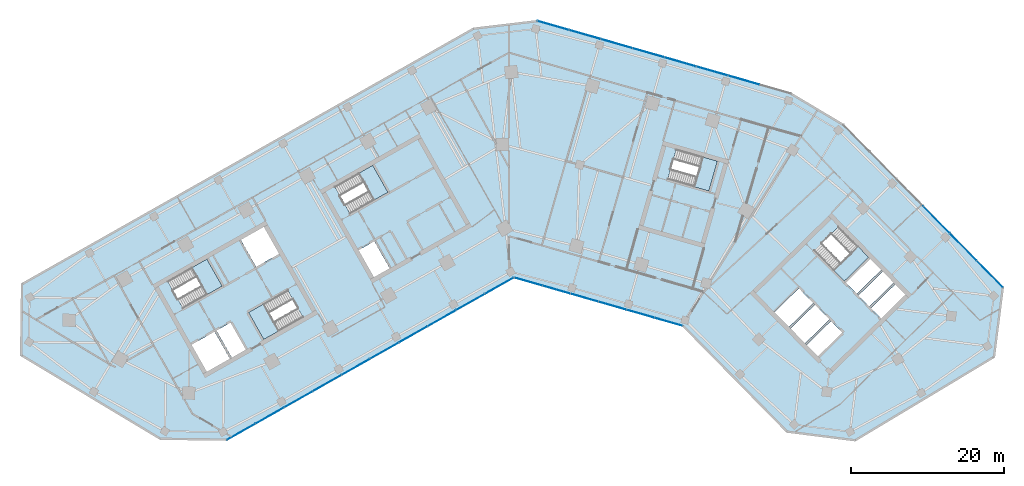
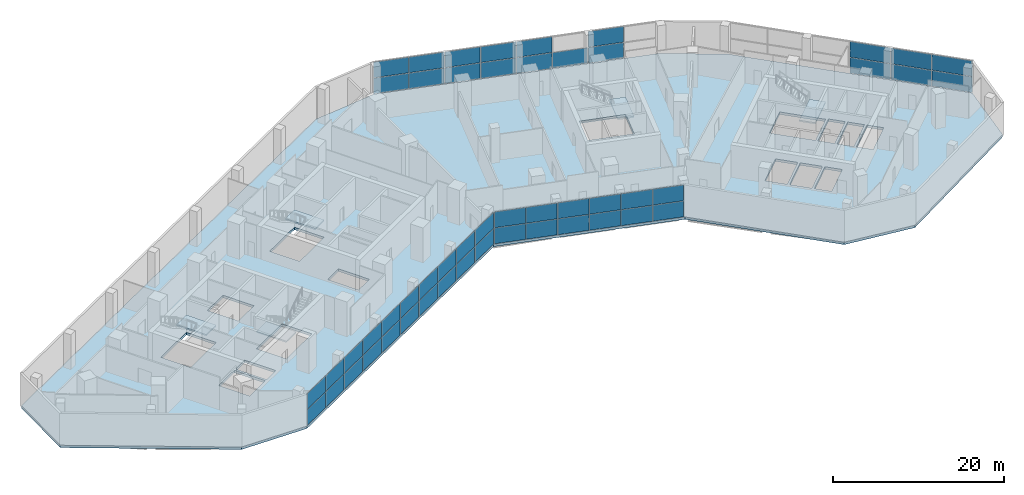
# One storey, part 9 of 18: 51 plates, 6 slabs, 9 elements without a shape of their own.
"""IFC4 building model written with IfcOpenShell, lengths in metres."""

from ifc_helpers import new_model, si_unit, direction, frame, origin, origin_2d, place, context, subcontext, project, spatial, polyline, rectangle, outline, extrude, material, layer, layer_set, type_object, element, aggregate, save


model = new_model("IFC4")

# Units and contexts
model_context = context("Model", 3, precision=1e-05, world=origin(), true_north=direction((0.0, 1.0)))
body_context = subcontext(model_context, "Body", "Model", "MODEL_VIEW")
ifc_project = project(units=[si_unit("LENGTHUNIT", "METRE"), si_unit("AREAUNIT", "SQUARE_METRE"), si_unit("VOLUMEUNIT", "CUBIC_METRE"), si_unit("PLANEANGLEUNIT", "RADIAN"), si_unit("MASSUNIT", "GRAM", prefix="KILO")], contexts=[model_context])

# Site, building, storey
site_placement = place(None, origin())
site = spatial("IfcSite", under=ifc_project, at=site_placement, CompositionType="ELEMENT")
building_placement = place(site_placement, origin())
building = spatial("IfcBuilding", under=site, at=building_placement, Name="Binnacle Exchange Tower", CompositionType="ELEMENT")
storey_placement = place(building_placement, frame((0.0, 0.0, 11.5)))
storey = spatial("IfcBuildingStorey", under=building, at=storey_placement, Name="L02", CompositionType="ELEMENT", Elevation=11.5)

# Curtain wall, plates
ifc_material_1 = material(Name="Bronze anodised aluminium frame", Category="aluminium")
curtain_wall_type_1 = type_object("IfcCurtainWallType", Name="External wall - curtain wall north entrance", PredefinedType="NOTDEFINED", material=ifc_material_1)
curtain_wall_1_placement = place(storey_placement, origin())
curtain_wall_1 = element("IfcCurtainWall", 1, at=curtain_wall_1_placement, inside=storey, type_object=curtain_wall_type_1, Name="External wall curtain wall CW2-P00 L02", PredefinedType="NOTDEFINED")
ifc_material_2 = material(Name="Glass", Category="glass")
ifc_layer_1 = layer(ifc_material_2, 0.0400390625)
ifc_layer_set_1 = layer_set([ifc_layer_1], Name="CW2 GLASS PANEL 40")
plate_type_1 = type_object("IfcPlateType", Name="CW2 GLASS PANEL 40", PredefinedType="CURTAIN_PANEL", material=ifc_layer_set_1)
plate_1_placement = place(storey_placement, frame((30.673095703125, 68.40625, 0.06005859375), z_axis=(0.0, 0.0, 1.0), x_axis=(-0.961261813316, 0.275636946471, 0.0)))
plate_1 = element("IfcPlate", 2, at=plate_1_placement, type_object=plate_type_1, Name="CW2-P00 panel 2.1", PredefinedType="CURTAIN_PANEL", context=body_context, shape_type="SweptSolid", body=[
    extrude(rectangle(XDim=4.238525390625, YDim=0.0400390625, at=origin_2d()), origin(), (0.0, 0.0, 1.0), 2.235107421875),
])
plate_2_placement = place(storey_placement, frame((30.673095703125, 68.40625, 2.35498046875), z_axis=(0.0, 0.0, 1.0), x_axis=(-0.961261813316, 0.275636946471, 0.0)))
plate_2 = element("IfcPlate", 3, at=plate_2_placement, type_object=plate_type_1, Name="CW2-P00 panel 2.2", PredefinedType="CURTAIN_PANEL", context=body_context, shape_type="SweptSolid", body=[
    extrude(rectangle(XDim=4.238525390625, YDim=0.0400390625, at=origin_2d()), origin(), (0.0, 0.0, 1.0), 2.235107421875),
])
plate_3_placement = place(storey_placement, frame((26.521728515625, 69.596435546875, 0.06005859375), z_axis=(0.0, 0.0, 1.0), x_axis=(-0.961261813316, 0.275636946471, 0.0)))
plate_3 = element("IfcPlate", 4, at=plate_3_placement, type_object=plate_type_1, Name="CW2-P00 panel 3.1", PredefinedType="CURTAIN_PANEL", context=body_context, shape_type="SweptSolid", body=[
    extrude(rectangle(XDim=4.238525390625, YDim=0.0400390625, at=origin_2d()), origin(), (0.0, 0.0, 1.0), 2.235107421875),
])
plate_4_placement = place(storey_placement, frame((22.370361328125, 70.786865234375, 0.06005859375), z_axis=(0.0, 0.0, 1.0), x_axis=(-0.961261813316, 0.275636946471, 0.0)))
plate_4 = element("IfcPlate", 5, at=plate_4_placement, type_object=plate_type_1, Name="CW2-P00 panel 4.1", PredefinedType="CURTAIN_PANEL", context=body_context, shape_type="SweptSolid", body=[
    extrude(rectangle(XDim=4.238525390625, YDim=0.0400390625, at=origin_2d()), origin(), (0.0, 0.0, 1.0), 2.235107421875),
])
plate_5_placement = place(storey_placement, frame((22.370361328125, 70.786865234375, 2.35498046875), z_axis=(0.0, 0.0, 1.0), x_axis=(-0.961261813316, 0.275636946471, 0.0)))
plate_5 = element("IfcPlate", 6, at=plate_5_placement, type_object=plate_type_1, Name="CW2-P00 panel 4.2", PredefinedType="CURTAIN_PANEL", context=body_context, shape_type="SweptSolid", body=[
    extrude(rectangle(XDim=4.238525390625, YDim=0.0400390625, at=origin_2d()), origin(), (0.0, 0.0, 1.0), 2.235107421875),
])
plate_6_placement = place(storey_placement, frame((18.218994140625, 71.977294921875, 0.06005859375), z_axis=(0.0, 0.0, 1.0), x_axis=(-0.961261813316, 0.275636946471, 0.0)))
plate_6 = element("IfcPlate", 7, at=plate_6_placement, type_object=plate_type_1, Name="CW2-P00 panel 5.1", PredefinedType="CURTAIN_PANEL", context=body_context, shape_type="SweptSolid", body=[
    extrude(rectangle(XDim=4.238525390625, YDim=0.0400390625, at=origin_2d()), origin(), (0.0, 0.0, 1.0), 2.235107421875),
])
plate_7_placement = place(storey_placement, frame((18.218994140625, 71.977294921875, 2.35498046875), z_axis=(0.0, 0.0, 1.0), x_axis=(-0.961261813316, 0.275636946471, 0.0)))
plate_7 = element("IfcPlate", 8, at=plate_7_placement, type_object=plate_type_1, Name="CW2-P00 panel 5.2", PredefinedType="CURTAIN_PANEL", context=body_context, shape_type="SweptSolid", body=[
    extrude(rectangle(XDim=4.238525390625, YDim=0.0400390625, at=origin_2d()), origin(), (0.0, 0.0, 1.0), 2.235107421875),
])
plate_8_placement = place(storey_placement, frame((14.067626953125, 73.167724609375, 0.06005859375), z_axis=(0.0, 0.0, 1.0), x_axis=(-0.961261813316, 0.275636946471, 0.0)))
plate_8 = element("IfcPlate", 9, at=plate_8_placement, type_object=plate_type_1, Name="CW2-P00 panel 6.1", PredefinedType="CURTAIN_PANEL", context=body_context, shape_type="SweptSolid", body=[
    extrude(rectangle(XDim=4.238525390625, YDim=0.0400390625, at=origin_2d()), origin(), (0.0, 0.0, 1.0), 2.235107421875),
])
plate_9_placement = place(storey_placement, frame((14.067626953125, 73.167724609375, 2.35498046875), z_axis=(0.0, 0.0, 1.0), x_axis=(-0.961261813316, 0.275636946471, 0.0)))
plate_9 = element("IfcPlate", 10, at=plate_9_placement, type_object=plate_type_1, Name="CW2-P00 panel 6.2", PredefinedType="CURTAIN_PANEL", context=body_context, shape_type="SweptSolid", body=[
    extrude(rectangle(XDim=4.238525390625, YDim=0.0400390625, at=origin_2d()), origin(), (0.0, 0.0, 1.0), 2.235107421875),
])
plate_10_placement = place(storey_placement, frame((9.916259765625, 74.35791015625, 0.06005859375), z_axis=(0.0, 0.0, 1.0), x_axis=(-0.961261813316, 0.275636946471, 0.0)))
plate_10 = element("IfcPlate", 11, at=plate_10_placement, type_object=plate_type_1, Name="CW2-P00 panel 7.1", PredefinedType="CURTAIN_PANEL", context=body_context, shape_type="SweptSolid", body=[
    extrude(rectangle(XDim=4.238525390625, YDim=0.0400390625, at=origin_2d()), origin(), (0.0, 0.0, 1.0), 2.235107421875),
])
plate_11_placement = place(storey_placement, frame((9.916259765625, 74.35791015625, 2.35498046875), z_axis=(0.0, 0.0, 1.0), x_axis=(-0.961261813316, 0.275636946471, 0.0)))
plate_11 = element("IfcPlate", 12, at=plate_11_placement, type_object=plate_type_1, Name="CW2-P00 panel 7.2", PredefinedType="CURTAIN_PANEL", context=body_context, shape_type="SweptSolid", body=[
    extrude(rectangle(XDim=4.238525390625, YDim=0.0400390625, at=origin_2d()), origin(), (0.0, 0.0, 1.0), 2.235107421875),
])
plate_12_placement = place(storey_placement, frame((5.7841796875, 75.54296875, 0.06005859375), z_axis=(0.0, 0.0, 1.0), x_axis=(-0.961261813316, 0.275636946471, 0.0)))
plate_12 = element("IfcPlate", 13, at=plate_12_placement, type_object=plate_type_1, Name="CW2-P00 panel 8.1", PredefinedType="CURTAIN_PANEL", context=body_context, shape_type="SweptSolid", body=[
    extrude(rectangle(XDim=4.19873046875, YDim=0.0400390625, at=origin_2d()), origin(), (0.0, 0.0, 1.0), 2.235107421875),
])
plate_13_placement = place(storey_placement, frame((5.7841796875, 75.54296875, 2.35498046875), z_axis=(0.0, 0.0, 1.0), x_axis=(-0.961261813316, 0.275636946471, 0.0)))
plate_13 = element("IfcPlate", 14, at=plate_13_placement, type_object=plate_type_1, Name="CW2-P00 panel 8.2", PredefinedType="CURTAIN_PANEL", context=body_context, shape_type="SweptSolid", body=[
    extrude(rectangle(XDim=4.19873046875, YDim=0.0400390625, at=origin_2d()), origin(), (0.0, 0.0, 1.0), 2.235107421875),
])
aggregate(curtain_wall_1, [plate_1, plate_2, plate_3, plate_4, plate_5, plate_6, plate_7, plate_8, plate_9, plate_10, plate_11, plate_12, plate_13])

curtain_wall_2_placement = place(storey_placement, origin())
curtain_wall_2 = element("IfcCurtainWall", 15, at=curtain_wall_2_placement, inside=storey, type_object=curtain_wall_type_1, Name="External wall curtain wall CW2-P12 L02", PredefinedType="NOTDEFINED")
plate_14_placement = place(storey_placement, frame((62.83349609375, 43.0791015625, 0.06005859375), z_axis=(0.0, 0.0, 1.0), x_axis=(-0.70090935439, 0.713250360623, 0.0)))
plate_14 = element("IfcPlate", 16, at=plate_14_placement, type_object=plate_type_1, Name="CW2-P12 panel 1.1", PredefinedType="CURTAIN_PANEL", context=body_context, shape_type="SweptSolid", body=[
    extrude(rectangle(XDim=4.862548828125, YDim=0.0400390625, at=origin_2d()), origin(), (0.0, 0.0, 1.0), 2.235107421875),
])
plate_15_placement = place(storey_placement, frame((62.83349609375, 43.0791015625, 2.35498046875), z_axis=(0.0, 0.0, 1.0), x_axis=(-0.70090935439, 0.713250360623, 0.0)))
plate_15 = element("IfcPlate", 17, at=plate_15_placement, type_object=plate_type_1, Name="CW2-P12 panel 1.2", PredefinedType="CURTAIN_PANEL", context=body_context, shape_type="SweptSolid", body=[
    extrude(rectangle(XDim=4.862548828125, YDim=0.0400390625, at=origin_2d()), origin(), (0.0, 0.0, 1.0), 2.235107421875),
])
plate_16_placement = place(storey_placement, frame((59.355224609375, 46.61865234375, 0.06005859375), z_axis=(0.0, 0.0, 1.0), x_axis=(-0.70090935439, 0.713250360623, 0.0)))
plate_16 = element("IfcPlate", 18, at=plate_16_placement, type_object=plate_type_1, Name="CW2-P12 panel 2.1", PredefinedType="CURTAIN_PANEL", context=body_context, shape_type="SweptSolid", body=[
    extrude(rectangle(XDim=4.902587890625, YDim=0.0400390625, at=origin_2d()), origin(), (0.0, 0.0, 1.0), 2.235107421875),
])
plate_17_placement = place(storey_placement, frame((59.355224609375, 46.61865234375, 2.35498046875), z_axis=(0.0, 0.0, 1.0), x_axis=(-0.70090935439, 0.713250360623, 0.0)))
plate_17 = element("IfcPlate", 19, at=plate_17_placement, type_object=plate_type_1, Name="CW2-P12 panel 2.2", PredefinedType="CURTAIN_PANEL", context=body_context, shape_type="SweptSolid", body=[
    extrude(rectangle(XDim=4.902587890625, YDim=0.0400390625, at=origin_2d()), origin(), (0.0, 0.0, 1.0), 2.235107421875),
])
plate_18_placement = place(storey_placement, frame((55.86279296875, 50.17236328125, 0.06005859375), z_axis=(0.0, 0.0, 1.0), x_axis=(-0.70090935439, 0.713250360623, 0.0)))
plate_18 = element("IfcPlate", 20, at=plate_18_placement, type_object=plate_type_1, Name="CW2-P12 panel 3.1", PredefinedType="CURTAIN_PANEL", context=body_context, shape_type="SweptSolid", body=[
    extrude(rectangle(XDim=4.902587890625, YDim=0.0400390625, at=origin_2d()), origin(), (0.0, 0.0, 1.0), 2.235107421875),
])
plate_19_placement = place(storey_placement, frame((55.86279296875, 50.17236328125, 2.35498046875), z_axis=(0.0, 0.0, 1.0), x_axis=(-0.70090935439, 0.713250360623, 0.0)))
plate_19 = element("IfcPlate", 21, at=plate_19_placement, type_object=plate_type_1, Name="CW2-P12 panel 3.2", PredefinedType="CURTAIN_PANEL", context=body_context, shape_type="SweptSolid", body=[
    extrude(rectangle(XDim=4.902587890625, YDim=0.0400390625, at=origin_2d()), origin(), (0.0, 0.0, 1.0), 2.235107421875),
])
aggregate(curtain_wall_2, [plate_14, plate_15, plate_16, plate_17, plate_18, plate_19])

curtain_wall_type_2 = type_object("IfcCurtainWallType", Name="External wall - curtain wall podium harbour front", PredefinedType="NOTDEFINED", material=ifc_material_1)
curtain_wall_3_placement = place(storey_placement, origin())
curtain_wall_3 = element("IfcCurtainWall", 22, at=curtain_wall_3_placement, inside=storey, type_object=curtain_wall_type_2, Name="External wall curtain wall CW3-P06 L02", PredefinedType="NOTDEFINED")
ifc_layer_2 = layer(ifc_material_2, 0.035888671875)
ifc_layer_set_2 = layer_set([ifc_layer_2], Name="CW3 GLASS PANEL 36")
plate_type_2 = type_object("IfcPlateType", Name="CW3 GLASS PANEL 36", PredefinedType="CURTAIN_PANEL", material=ifc_layer_set_2)
plate_20_placement = place(storey_placement, frame((-34.995361328125, 22.455810546875, 0.050048828125), z_axis=(0.0, 0.0, 1.0), x_axis=(0.870355581144, 0.492423763004, 0.0)))
plate_20 = element("IfcPlate", 23, at=plate_20_placement, type_object=plate_type_2, Name="CW3-P06 panel 1.1", PredefinedType="CURTAIN_PANEL", context=body_context, shape_type="SweptSolid", body=[
    extrude(rectangle(XDim=4.200927734375, YDim=0.035888671875, at=origin_2d()), origin(), (0.0, 0.0, 1.0), 2.25),
])
plate_21_placement = place(storey_placement, frame((-34.995361328125, 22.455810546875, 2.35009765625), z_axis=(0.0, 0.0, 1.0), x_axis=(0.870355581144, 0.492423763004, 0.0)))
plate_21 = element("IfcPlate", 24, at=plate_21_placement, type_object=plate_type_2, Name="CW3-P06 panel 1.2", PredefinedType="CURTAIN_PANEL", context=body_context, shape_type="SweptSolid", body=[
    extrude(rectangle(XDim=4.200927734375, YDim=0.035888671875, at=origin_2d()), origin(), (0.0, 0.0, 1.0), 2.25),
])
plate_22_placement = place(storey_placement, frame((-31.26318359375, 24.5673828125, 0.050048828125), z_axis=(0.0, 0.0, 1.0), x_axis=(0.870355581144, 0.492423763004, 0.0)))
plate_22 = element("IfcPlate", 25, at=plate_22_placement, type_object=plate_type_2, Name="CW3-P06 panel 2.1", PredefinedType="CURTAIN_PANEL", context=body_context, shape_type="SweptSolid", body=[
    extrude(rectangle(XDim=4.23583984375, YDim=0.035888671875, at=origin_2d()), origin(), (0.0, 0.0, 1.0), 2.25),
])
plate_23_placement = place(storey_placement, frame((-31.26318359375, 24.5673828125, 2.35009765625), z_axis=(0.0, 0.0, 1.0), x_axis=(0.870355581144, 0.492423763004, 0.0)))
plate_23 = element("IfcPlate", 26, at=plate_23_placement, type_object=plate_type_2, Name="CW3-P06 panel 2.2", PredefinedType="CURTAIN_PANEL", context=body_context, shape_type="SweptSolid", body=[
    extrude(rectangle(XDim=4.23583984375, YDim=0.035888671875, at=origin_2d()), origin(), (0.0, 0.0, 1.0), 2.25),
])
plate_24_placement = place(storey_placement, frame((-27.515380859375, 26.687744140625, 0.050048828125), z_axis=(0.0, 0.0, 1.0), x_axis=(0.870355581144, 0.492423763004, 0.0)))
plate_24 = element("IfcPlate", 27, at=plate_24_placement, type_object=plate_type_2, Name="CW3-P06 panel 3.1", PredefinedType="CURTAIN_PANEL", context=body_context, shape_type="SweptSolid", body=[
    extrude(rectangle(XDim=4.23583984375, YDim=0.035888671875, at=origin_2d()), origin(), (0.0, 0.0, 1.0), 2.25),
])
plate_25_placement = place(storey_placement, frame((-27.515380859375, 26.687744140625, 2.35009765625), z_axis=(0.0, 0.0, 1.0), x_axis=(0.870355581144, 0.492423763004, 0.0)))
plate_25 = element("IfcPlate", 28, at=plate_25_placement, type_object=plate_type_2, Name="CW3-P06 panel 3.2", PredefinedType="CURTAIN_PANEL", context=body_context, shape_type="SweptSolid", body=[
    extrude(rectangle(XDim=4.23583984375, YDim=0.035888671875, at=origin_2d()), origin(), (0.0, 0.0, 1.0), 2.25),
])
plate_26_placement = place(storey_placement, frame((-23.767822265625, 28.807861328125, 0.050048828125), z_axis=(0.0, 0.0, 1.0), x_axis=(0.870355581144, 0.492423763004, 0.0)))
plate_26 = element("IfcPlate", 29, at=plate_26_placement, type_object=plate_type_2, Name="CW3-P06 panel 4.1", PredefinedType="CURTAIN_PANEL", context=body_context, shape_type="SweptSolid", body=[
    extrude(rectangle(XDim=4.23583984375, YDim=0.035888671875, at=origin_2d()), origin(), (0.0, 0.0, 1.0), 2.25),
])
plate_27_placement = place(storey_placement, frame((-23.767822265625, 28.807861328125, 2.35009765625), z_axis=(0.0, 0.0, 1.0), x_axis=(0.870355581144, 0.492423763004, 0.0)))
plate_27 = element("IfcPlate", 30, at=plate_27_placement, type_object=plate_type_2, Name="CW3-P06 panel 4.2", PredefinedType="CURTAIN_PANEL", context=body_context, shape_type="SweptSolid", body=[
    extrude(rectangle(XDim=4.23583984375, YDim=0.035888671875, at=origin_2d()), origin(), (0.0, 0.0, 1.0), 2.25),
])
plate_28_placement = place(storey_placement, frame((-20.020263671875, 30.92822265625, 0.050048828125), z_axis=(0.0, 0.0, 1.0), x_axis=(0.870355581144, 0.492423763004, 0.0)))
plate_28 = element("IfcPlate", 31, at=plate_28_placement, type_object=plate_type_2, Name="CW3-P06 panel 5.1", PredefinedType="CURTAIN_PANEL", context=body_context, shape_type="SweptSolid", body=[
    extrude(rectangle(XDim=4.23583984375, YDim=0.035888671875, at=origin_2d()), origin(), (0.0, 0.0, 1.0), 2.25),
])
plate_29_placement = place(storey_placement, frame((-20.020263671875, 30.92822265625, 2.35009765625), z_axis=(0.0, 0.0, 1.0), x_axis=(0.870355581144, 0.492423763004, 0.0)))
plate_29 = element("IfcPlate", 32, at=plate_29_placement, type_object=plate_type_2, Name="CW3-P06 panel 5.2", PredefinedType="CURTAIN_PANEL", context=body_context, shape_type="SweptSolid", body=[
    extrude(rectangle(XDim=4.23583984375, YDim=0.035888671875, at=origin_2d()), origin(), (0.0, 0.0, 1.0), 2.25),
])
plate_30_placement = place(storey_placement, frame((-16.272705078125, 33.048583984375, 0.050048828125), z_axis=(0.0, 0.0, 1.0), x_axis=(0.870355581144, 0.492423763004, 0.0)))
plate_30 = element("IfcPlate", 33, at=plate_30_placement, type_object=plate_type_2, Name="CW3-P06 panel 6.1", PredefinedType="CURTAIN_PANEL", context=body_context, shape_type="SweptSolid", body=[
    extrude(rectangle(XDim=4.23583984375, YDim=0.035888671875, at=origin_2d()), origin(), (0.0, 0.0, 1.0), 2.25),
])
plate_31_placement = place(storey_placement, frame((-16.272705078125, 33.048583984375, 2.35009765625), z_axis=(0.0, 0.0, 1.0), x_axis=(0.870355581144, 0.492423763004, 0.0)))
plate_31 = element("IfcPlate", 34, at=plate_31_placement, type_object=plate_type_2, Name="CW3-P06 panel 6.2", PredefinedType="CURTAIN_PANEL", context=body_context, shape_type="SweptSolid", body=[
    extrude(rectangle(XDim=4.23583984375, YDim=0.035888671875, at=origin_2d()), origin(), (0.0, 0.0, 1.0), 2.25),
])
plate_32_placement = place(storey_placement, frame((-12.52490234375, 35.1689453125, 0.050048828125), z_axis=(0.0, 0.0, 1.0), x_axis=(0.870355581144, 0.492423763004, 0.0)))
plate_32 = element("IfcPlate", 35, at=plate_32_placement, type_object=plate_type_2, Name="CW3-P06 panel 7.1", PredefinedType="CURTAIN_PANEL", context=body_context, shape_type="SweptSolid", body=[
    extrude(rectangle(XDim=4.23583984375, YDim=0.035888671875, at=origin_2d()), origin(), (0.0, 0.0, 1.0), 2.25),
])
plate_33_placement = place(storey_placement, frame((-12.52490234375, 35.1689453125, 2.35009765625), z_axis=(0.0, 0.0, 1.0), x_axis=(0.870355581144, 0.492423763004, 0.0)))
plate_33 = element("IfcPlate", 36, at=plate_33_placement, type_object=plate_type_2, Name="CW3-P06 panel 7.2", PredefinedType="CURTAIN_PANEL", context=body_context, shape_type="SweptSolid", body=[
    extrude(rectangle(XDim=4.23583984375, YDim=0.035888671875, at=origin_2d()), origin(), (0.0, 0.0, 1.0), 2.25),
])
plate_34_placement = place(storey_placement, frame((-8.77734375, 37.2890625, 0.050048828125), z_axis=(0.0, 0.0, 1.0), x_axis=(0.870355581144, 0.492423763004, 0.0)))
plate_34 = element("IfcPlate", 37, at=plate_34_placement, type_object=plate_type_2, Name="CW3-P06 panel 8.1", PredefinedType="CURTAIN_PANEL", context=body_context, shape_type="SweptSolid", body=[
    extrude(rectangle(XDim=4.23583984375, YDim=0.035888671875, at=origin_2d()), origin(), (0.0, 0.0, 1.0), 2.25),
])
plate_35_placement = place(storey_placement, frame((-8.77734375, 37.2890625, 2.35009765625), z_axis=(0.0, 0.0, 1.0), x_axis=(0.870355581144, 0.492423763004, 0.0)))
plate_35 = element("IfcPlate", 38, at=plate_35_placement, type_object=plate_type_2, Name="CW3-P06 panel 8.2", PredefinedType="CURTAIN_PANEL", context=body_context, shape_type="SweptSolid", body=[
    extrude(rectangle(XDim=4.23583984375, YDim=0.035888671875, at=origin_2d()), origin(), (0.0, 0.0, 1.0), 2.25),
])
plate_36_placement = place(storey_placement, frame((-5.02978515625, 39.409423828125, 0.050048828125), z_axis=(0.0, 0.0, 1.0), x_axis=(0.870355581144, 0.492423763004, 0.0)))
plate_36 = element("IfcPlate", 39, at=plate_36_placement, type_object=plate_type_2, Name="CW3-P06 panel 9.1", PredefinedType="CURTAIN_PANEL", context=body_context, shape_type="SweptSolid", body=[
    extrude(rectangle(XDim=4.23583984375, YDim=0.035888671875, at=origin_2d()), origin(), (0.0, 0.0, 1.0), 2.25),
])
plate_37_placement = place(storey_placement, frame((-5.02978515625, 39.409423828125, 2.35009765625), z_axis=(0.0, 0.0, 1.0), x_axis=(0.870355581144, 0.492423763004, 0.0)))
plate_37 = element("IfcPlate", 40, at=plate_37_placement, type_object=plate_type_2, Name="CW3-P06 panel 9.2", PredefinedType="CURTAIN_PANEL", context=body_context, shape_type="SweptSolid", body=[
    extrude(rectangle(XDim=4.23583984375, YDim=0.035888671875, at=origin_2d()), origin(), (0.0, 0.0, 1.0), 2.25),
])
plate_38_placement = place(storey_placement, frame((-1.29736328125, 41.521240234375, 0.050048828125), z_axis=(0.0, 0.0, 1.0), x_axis=(0.870355581144, 0.492423763004, 0.0)))
plate_38 = element("IfcPlate", 41, at=plate_38_placement, type_object=plate_type_2, Name="CW3-P06 panel 10.1", PredefinedType="CURTAIN_PANEL", context=body_context, shape_type="SweptSolid", body=[
    extrude(rectangle(XDim=4.200927734375, YDim=0.035888671875, at=origin_2d()), origin(), (0.0, 0.0, 1.0), 2.25),
])
plate_39_placement = place(storey_placement, frame((-1.29736328125, 41.521240234375, 2.35009765625), z_axis=(0.0, 0.0, 1.0), x_axis=(0.870355581144, 0.492423763004, 0.0)))
plate_39 = element("IfcPlate", 42, at=plate_39_placement, type_object=plate_type_2, Name="CW3-P06 panel 10.2", PredefinedType="CURTAIN_PANEL", context=body_context, shape_type="SweptSolid", body=[
    extrude(rectangle(XDim=4.200927734375, YDim=0.035888671875, at=origin_2d()), origin(), (0.0, 0.0, 1.0), 2.25),
])
aggregate(curtain_wall_3, [plate_20, plate_21, plate_22, plate_23, plate_24, plate_25, plate_26, plate_27, plate_28, plate_29, plate_30, plate_31, plate_32, plate_33, plate_34, plate_35, plate_36, plate_37, plate_38, plate_39])

curtain_wall_4_placement = place(storey_placement, origin())
curtain_wall_4 = element("IfcCurtainWall", 43, at=curtain_wall_4_placement, inside=storey, type_object=curtain_wall_type_2, Name="External wall curtain wall CW3-P07 L02", PredefinedType="NOTDEFINED")
plate_40_placement = place(storey_placement, frame((2.539794921875, 42.0703125, 0.050048828125), z_axis=(0.0, 0.0, 1.0), x_axis=(0.961261813321, -0.275636946454, 0.0)))
plate_40 = element("IfcPlate", 44, at=plate_40_placement, type_object=plate_type_2, Name="CW3-P07 panel 1.1", PredefinedType="CURTAIN_PANEL", context=body_context, shape_type="SweptSolid", body=[
    extrude(rectangle(XDim=3.713623046875, YDim=0.035888671875, at=origin_2d()), origin(), (0.0, 0.0, 1.0), 2.25),
])
plate_41_placement = place(storey_placement, frame((2.539794921875, 42.0703125, 2.35009765625), z_axis=(0.0, 0.0, 1.0), x_axis=(0.961261813321, -0.275636946454, 0.0)))
plate_41 = element("IfcPlate", 45, at=plate_41_placement, type_object=plate_type_2, Name="CW3-P07 panel 1.2", PredefinedType="CURTAIN_PANEL", context=body_context, shape_type="SweptSolid", body=[
    extrude(rectangle(XDim=3.713623046875, YDim=0.035888671875, at=origin_2d()), origin(), (0.0, 0.0, 1.0), 2.25),
])
plate_42_placement = place(storey_placement, frame((6.19384765625, 41.0224609375, 0.050048828125), z_axis=(0.0, 0.0, 1.0), x_axis=(0.961261813321, -0.275636946454, 0.0)))
plate_42 = element("IfcPlate", 46, at=plate_42_placement, type_object=plate_type_2, Name="CW3-P07 panel 2.1", PredefinedType="CURTAIN_PANEL", context=body_context, shape_type="SweptSolid", body=[
    extrude(rectangle(XDim=3.748779296875, YDim=0.035888671875, at=origin_2d()), origin(), (0.0, 0.0, 1.0), 2.25),
])
plate_43_placement = place(storey_placement, frame((6.19384765625, 41.0224609375, 2.35009765625), z_axis=(0.0, 0.0, 1.0), x_axis=(0.961261813321, -0.275636946454, 0.0)))
plate_43 = element("IfcPlate", 47, at=plate_43_placement, type_object=plate_type_2, Name="CW3-P07 panel 2.2", PredefinedType="CURTAIN_PANEL", context=body_context, shape_type="SweptSolid", body=[
    extrude(rectangle(XDim=3.748779296875, YDim=0.035888671875, at=origin_2d()), origin(), (0.0, 0.0, 1.0), 2.25),
])
plate_44_placement = place(storey_placement, frame((9.864501953125, 39.969970703125, 0.050048828125), z_axis=(0.0, 0.0, 1.0), x_axis=(0.961261813321, -0.275636946454, 0.0)))
plate_44 = element("IfcPlate", 48, at=plate_44_placement, type_object=plate_type_2, Name="CW3-P07 panel 3.1", PredefinedType="CURTAIN_PANEL", context=body_context, shape_type="SweptSolid", body=[
    extrude(rectangle(XDim=3.748779296875, YDim=0.035888671875, at=origin_2d()), origin(), (0.0, 0.0, 1.0), 2.25),
])
plate_45_placement = place(storey_placement, frame((9.864501953125, 39.969970703125, 2.35009765625), z_axis=(0.0, 0.0, 1.0), x_axis=(0.961261813321, -0.275636946454, 0.0)))
plate_45 = element("IfcPlate", 49, at=plate_45_placement, type_object=plate_type_2, Name="CW3-P07 panel 3.2", PredefinedType="CURTAIN_PANEL", context=body_context, shape_type="SweptSolid", body=[
    extrude(rectangle(XDim=3.748779296875, YDim=0.035888671875, at=origin_2d()), origin(), (0.0, 0.0, 1.0), 2.25),
])
plate_46_placement = place(storey_placement, frame((13.53515625, 38.91748046875, 0.050048828125), z_axis=(0.0, 0.0, 1.0), x_axis=(0.961261813321, -0.275636946454, 0.0)))
plate_46 = element("IfcPlate", 50, at=plate_46_placement, type_object=plate_type_2, Name="CW3-P07 panel 4.1", PredefinedType="CURTAIN_PANEL", context=body_context, shape_type="SweptSolid", body=[
    extrude(rectangle(XDim=3.748779296875, YDim=0.035888671875, at=origin_2d()), origin(), (0.0, 0.0, 1.0), 2.25),
])
plate_47_placement = place(storey_placement, frame((13.53515625, 38.91748046875, 2.35009765625), z_axis=(0.0, 0.0, 1.0), x_axis=(0.961261813321, -0.275636946454, 0.0)))
plate_47 = element("IfcPlate", 51, at=plate_47_placement, type_object=plate_type_2, Name="CW3-P07 panel 4.2", PredefinedType="CURTAIN_PANEL", context=body_context, shape_type="SweptSolid", body=[
    extrude(rectangle(XDim=3.748779296875, YDim=0.035888671875, at=origin_2d()), origin(), (0.0, 0.0, 1.0), 2.25),
])
plate_48_placement = place(storey_placement, frame((17.2060546875, 37.86474609375, 0.050048828125), z_axis=(0.0, 0.0, 1.0), x_axis=(0.961261813321, -0.275636946454, 0.0)))
plate_48 = element("IfcPlate", 52, at=plate_48_placement, type_object=plate_type_2, Name="CW3-P07 panel 5.1", PredefinedType="CURTAIN_PANEL", context=body_context, shape_type="SweptSolid", body=[
    extrude(rectangle(XDim=3.748779296875, YDim=0.035888671875, at=origin_2d()), origin(), (0.0, 0.0, 1.0), 2.25),
])
plate_49_placement = place(storey_placement, frame((17.2060546875, 37.86474609375, 2.35009765625), z_axis=(0.0, 0.0, 1.0), x_axis=(0.961261813321, -0.275636946454, 0.0)))
plate_49 = element("IfcPlate", 53, at=plate_49_placement, type_object=plate_type_2, Name="CW3-P07 panel 5.2", PredefinedType="CURTAIN_PANEL", context=body_context, shape_type="SweptSolid", body=[
    extrude(rectangle(XDim=3.748779296875, YDim=0.035888671875, at=origin_2d()), origin(), (0.0, 0.0, 1.0), 2.25),
])
plate_50_placement = place(storey_placement, frame((20.85986328125, 36.817138671875, 0.050048828125), z_axis=(0.0, 0.0, 1.0), x_axis=(0.961261813321, -0.275636946454, 0.0)))
plate_50 = element("IfcPlate", 54, at=plate_50_placement, type_object=plate_type_2, Name="CW3-P07 panel 6.1", PredefinedType="CURTAIN_PANEL", context=body_context, shape_type="SweptSolid", body=[
    extrude(rectangle(XDim=3.713623046875, YDim=0.035888671875, at=origin_2d()), origin(), (0.0, 0.0, 1.0), 2.25),
])
plate_51_placement = place(storey_placement, frame((20.85986328125, 36.817138671875, 2.35009765625), z_axis=(0.0, 0.0, 1.0), x_axis=(0.961261813321, -0.275636946454, 0.0)))
plate_51 = element("IfcPlate", 55, at=plate_51_placement, type_object=plate_type_2, Name="CW3-P07 panel 6.2", PredefinedType="CURTAIN_PANEL", context=body_context, shape_type="SweptSolid", body=[
    extrude(rectangle(XDim=3.713623046875, YDim=0.035888671875, at=origin_2d()), origin(), (0.0, 0.0, 1.0), 2.25),
])
aggregate(curtain_wall_4, [plate_40, plate_41, plate_42, plate_43, plate_44, plate_45, plate_46, plate_47, plate_48, plate_49, plate_50, plate_51])

# Slab
ifc_material_3 = material(Name="Concrete C35/45", Category="concrete")
ifc_layer_3 = layer(ifc_material_3, 0.35009765625)
ifc_layer_set_3 = layer_set([ifc_layer_3], Name="Floor slab 350 Concrete C35/45")
slab_type_1 = type_object("IfcSlabType", Name="Floor slab 350 Concrete C35/45", PredefinedType="FLOOR", material=ifc_layer_set_3)
slab_1_placement = place(storey_placement, frame((0.0, 0.0, -0.35009765625)))
element("IfcSlab", 56, at=slab_1_placement, inside=storey, type_object=slab_type_1, Name="S:SL:L02:01", PredefinedType="FLOOR", context=body_context, shape_type="SweptSolid", body=[
    extrude(outline(polyline([(64.52880859375, 41.35400390625), (63.369873046875, 32.243408203125), (45.233154296875, 21.345703125), (36.33984375, 22.47705078125), (22.79248046875, 36.2626953125), (0.63720703125, 42.61572265625), (-36.81201171875, 21.427978515625), (-45.560791015625, 21.54248046875), (-63.753173828125, 32.4736328125), (-63.6318359375, 41.74365234375), (-4.6328125, 75.12353515625), (3.775634765625, 76.118896484375), (36.7900390625, 66.652099609375), (43.719970703125, 62.529296875), (64.52880859375, 41.35400390625)]), holes=[polyline([(-38.4794921875, 35.529296875), (-41.61279296875, 33.756591796875), (-39.544677734375, 30.10107421875), (-36.411376953125, 31.873779296875), (-38.4794921875, 35.529296875)]), polyline([(-34.322509765625, 33.0556640625), (-36.390625, 36.711181640625), (-38.21826171875, 35.677001953125), (-36.150146484375, 32.021484375), (-34.322509765625, 33.0556640625)]), polyline([(-34.040771484375, 38.04052734375), (-32.04638671875, 34.515625), (-26.9287109375, 37.4111328125), (-28.923095703125, 40.93603515625), (-34.040771484375, 38.04052734375)]), polyline([(-37.486572265625, 41.4912109375), (-39.480712890625, 45.01611328125), (-44.598388671875, 42.12060546875), (-42.604248046875, 38.595703125), (-37.486572265625, 41.4912109375)]), polyline([(-15.53076171875, 43.6875), (-17.598876953125, 47.343017578125), (-19.77490234375, 46.11181640625), (-17.70654296875, 42.456298828125), (-15.53076171875, 43.6875)]), polyline([(-29.914306640625, 45.775390625), (-31.982666015625, 49.430908203125), (-35.115966796875, 47.657958984375), (-33.047607421875, 44.00244140625), (-29.914306640625, 45.775390625)]), polyline([(-15.822509765625, 53.748046875), (-17.81689453125, 57.27294921875), (-22.760498046875, 54.47607421875), (-20.76611328125, 50.950927734375), (-15.822509765625, 53.748046875)]), polyline([(26.111328125, 53.9169921875), (27.227783203125, 57.810302734375), (21.864013671875, 59.348388671875), (20.74755859375, 55.455078125), (26.111328125, 53.9169921875)]), polyline([(40.268798828125, 32.201904296875), (43.549560546875, 35.426025390625), (42.07763671875, 36.923828125), (38.796875, 33.69970703125), (40.268798828125, 32.201904296875)]), polyline([(38.58642578125, 33.913818359375), (41.867431640625, 37.137939453125), (39.97509765625, 39.063720703125), (36.694091796875, 35.83935546875), (38.58642578125, 33.913818359375)]), polyline([(36.48388671875, 36.053466796875), (39.7646484375, 39.277587890625), (37.872314453125, 41.203369140625), (34.59130859375, 37.979248046875), (36.48388671875, 36.053466796875)]), polyline([(48.726806640625, 37.148681640625), (52.0078125, 40.372802734375), (50.577880859375, 41.827880859375), (47.296875, 38.603759765625), (48.726806640625, 37.148681640625)]), polyline([(47.086669921875, 38.817626953125), (50.36767578125, 42.0419921875), (48.944580078125, 43.48974609375), (45.663818359375, 40.265625), (47.086669921875, 38.817626953125)]), polyline([(45.45361328125, 40.4794921875), (48.734375, 43.703857421875), (47.3115234375, 45.151611328125), (44.030517578125, 41.927490234375), (45.45361328125, 40.4794921875)]), polyline([(43.8203125, 42.141357421875), (46.994384765625, 45.260498046875), (43.083251953125, 49.240478515625), (39.9091796875, 46.121337890625), (43.8203125, 42.141357421875)])]), origin(), (0.0, 0.0, 1.0), 0.35009765625),
])

# Stair, slab
stair_type = type_object("IfcStairType", Name="STAIR 28 RISERS 179", PredefinedType="HALF_TURN_STAIR", material=ifc_material_3)
stair_1_placement = place(storey_placement, origin())
stair_1 = element("IfcStair", 57, at=stair_1_placement, inside=storey, type_object=stair_type, Name="L02 Escape stair A1", PredefinedType="HALF_TURN_STAIR")
ifc_layer_4 = layer(ifc_material_3, 0.199951171875)
ifc_layer_set_4 = layer_set([ifc_layer_4], Name="STAIR LANDING 200")
slab_type_2 = type_object("IfcSlabType", Name="STAIR LANDING 200", PredefinedType="LANDING", material=ifc_layer_set_4)
slab_2_placement = place(storey_placement, frame((0.0, 0.0, 2.300048828125)))
slab_2 = element("IfcSlab", 58, at=slab_2_placement, type_object=slab_type_2, Name="STA1 landing 1", PredefinedType="LANDING", context=body_context, shape_type="SweptSolid", body=[
    extrude(outline(polyline([(-39.470947265625, 40.368408203125), (-37.486572265625, 41.4912109375), (-39.48095703125, 45.01611328125), (-41.46533203125, 43.893310546875), (-39.470947265625, 40.368408203125)])), origin(), (0.0, 0.0, 1.0), 0.199951171875),
])
aggregate(stair_1, [slab_2])

stair_2_placement = place(storey_placement, origin())
stair_2 = element("IfcStair", 59, at=stair_2_placement, inside=storey, type_object=stair_type, Name="L02 Escape stair A2", PredefinedType="HALF_TURN_STAIR")
slab_3_placement = place(storey_placement, frame((0.0, 0.0, 2.300048828125)))
slab_3 = element("IfcSlab", 60, at=slab_3_placement, type_object=slab_type_2, Name="STA2 landing 1", PredefinedType="LANDING", context=body_context, shape_type="SweptSolid", body=[
    extrude(outline(polyline([(-32.05615234375, 39.163330078125), (-34.040771484375, 38.04052734375), (-32.04638671875, 34.515625), (-30.06201171875, 35.638427734375), (-32.05615234375, 39.163330078125)])), origin(), (0.0, 0.0, 1.0), 0.199951171875),
])
aggregate(stair_2, [slab_3])

stair_3_placement = place(storey_placement, origin())
stair_3 = element("IfcStair", 61, at=stair_3_placement, inside=storey, type_object=stair_type, Name="L02 Escape stair B1", PredefinedType="HALF_TURN_STAIR")
slab_4_placement = place(storey_placement, frame((0.0, 0.0, 2.300048828125)))
slab_4 = element("IfcSlab", 62, at=slab_4_placement, type_object=slab_type_2, Name="STB1 landing 1", PredefinedType="LANDING", context=body_context, shape_type="SweptSolid", body=[
    extrude(outline(polyline([(42.4326171875, 43.5537109375), (43.8203125, 42.141357421875), (46.994384765625, 45.260498046875), (45.606689453125, 46.672607421875), (42.4326171875, 43.5537109375)])), origin(), (0.0, 0.0, 1.0), 0.199951171875),
])
aggregate(stair_3, [slab_4])

stair_4_placement = place(storey_placement, origin())
stair_4 = element("IfcStair", 63, at=stair_4_placement, inside=storey, type_object=stair_type, Name="L02 Escape stair C1", PredefinedType="HALF_TURN_STAIR")
slab_5_placement = place(storey_placement, frame((0.0, 0.0, 2.300048828125)))
slab_5 = element("IfcSlab", 64, at=slab_5_placement, type_object=slab_type_2, Name="STC1 landing 1", PredefinedType="LANDING", context=body_context, shape_type="SweptSolid", body=[
    extrude(outline(polyline([(-17.6328125, 52.7236328125), (-15.822509765625, 53.748046875), (-17.81689453125, 57.27294921875), (-19.627197265625, 56.248779296875), (-17.6328125, 52.7236328125)])), origin(), (0.0, 0.0, 1.0), 0.199951171875),
])
aggregate(stair_4, [slab_5])

stair_5_placement = place(storey_placement, origin())
stair_5 = element("IfcStair", 65, at=stair_5_placement, inside=storey, type_object=stair_type, Name="L02 Escape stair D1", PredefinedType="HALF_TURN_STAIR")
slab_6_placement = place(storey_placement, frame((0.0, 0.0, 2.300048828125)))
slab_6 = element("IfcSlab", 66, at=slab_6_placement, type_object=slab_type_2, Name="STD1 landing 1", PredefinedType="LANDING", context=body_context, shape_type="SweptSolid", body=[
    extrude(outline(polyline([(24.2080078125, 54.462890625), (26.111328125, 53.917236328125), (27.227783203125, 57.810302734375), (25.324462890625, 58.35595703125), (24.2080078125, 54.462890625)])), origin(), (0.0, 0.0, 1.0), 0.199951171875),
])
aggregate(stair_5, [slab_6])

save(model, "model.ifc")
